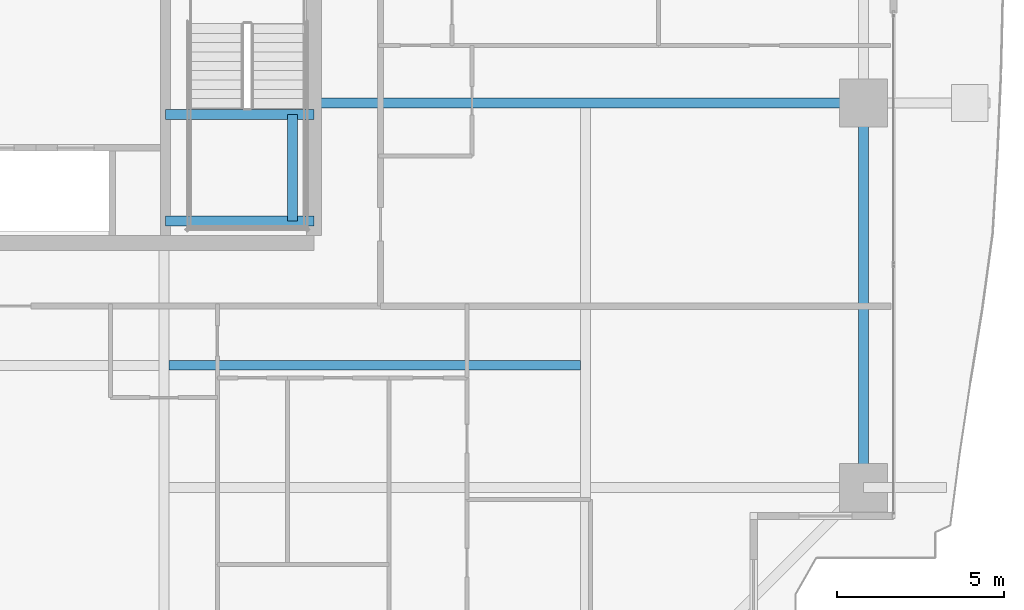
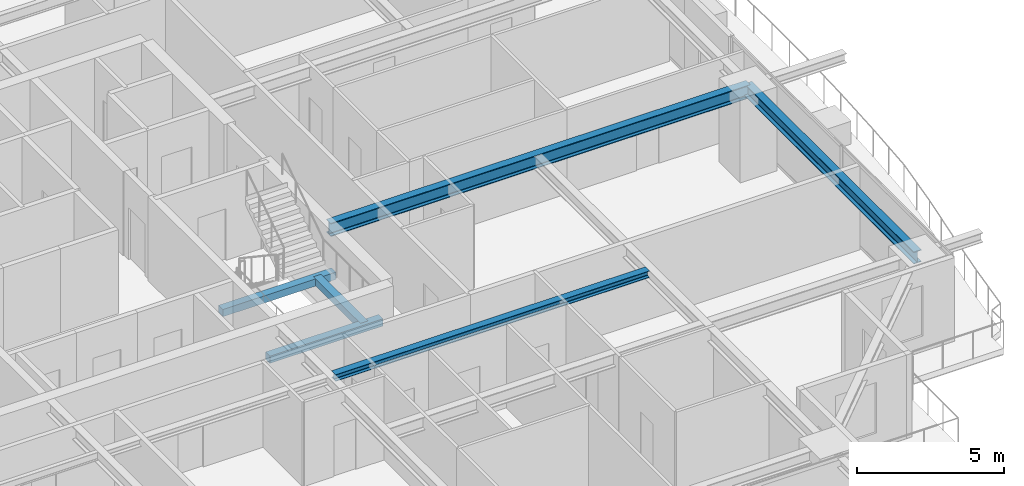
# One storey, part 14 of 39: 6 beams.
"""IFC4 building model written with IfcOpenShell, lengths in metres."""

from ifc_helpers import new_model, si_unit, direction, frame, origin, origin_2d, place, context, subcontext, project, spatial, rectangle, i_section, extrude, source, transform, mapped, material, material_profile, profile_set, type_object, element, save


model = new_model("IFC4")

# Units and contexts
model_context = context("Model", 3, precision=1e-05, world=origin(), true_north=direction((0.0, 1.0)))
body_context = subcontext(model_context, "Body", "Model", "MODEL_VIEW")
ifc_project = project(units=[si_unit("LENGTHUNIT", "METRE"), si_unit("AREAUNIT", "SQUARE_METRE"), si_unit("VOLUMEUNIT", "CUBIC_METRE"), si_unit("PLANEANGLEUNIT", "RADIAN"), si_unit("MASSUNIT", "GRAM", prefix="KILO")], contexts=[model_context])

# Site, building, storey
site_placement = place(None, origin())
site = spatial("IfcSite", under=ifc_project, at=site_placement, CompositionType="ELEMENT")
building_placement = place(site_placement, origin())
building = spatial("IfcBuilding", under=site, at=building_placement, Name="Serunith Strait Residences", CompositionType="ELEMENT")
storey_placement = place(building_placement, frame((0.0, 0.0, 79.199951171875)))
storey = spatial("IfcBuildingStorey", under=building, at=storey_placement, Name="L19", CompositionType="ELEMENT", Elevation=79.199951171875)

# Beams
ifc_material_1 = material(Name="Steel S355J2", Category="steel")
ifc_material_profile_1 = material_profile(ifc_material_1, i_section(OverallWidth=0.300048828125, OverallDepth=0.550048828125, WebThickness=0.014892578125, FlangeThickness=0.029052734375, FilletRadius=0.027099609375, at=origin_2d()), Name="HEB 550")
ifc_profile_set_1 = profile_set([ifc_material_profile_1], Name="Steel S355J2")
beam_type_1 = type_object("IfcBeamType", Name="BM-HEB550", PredefinedType="BEAM", material=ifc_profile_set_1)
shared_shape_1 = source(origin(), body_context, "Body", "SweptSolid", [
    extrude(i_section(OverallWidth=0.300048828125, OverallDepth=0.550048828125, WebThickness=0.014892578125, FlangeThickness=0.029052734375, FilletRadius=0.027099609375, at=origin_2d()), origin(), (0.0, 0.0, 1.0), 16.5),
])
beam_1_placement = place(storey_placement, frame((41.39990234375, 21.0, 3.212158203125), z_axis=(1.0, 0.0, 0.0), x_axis=(0.0, 1.0, 0.0)))
element("IfcBeam", 1, at=beam_1_placement, inside=storey, type_object=beam_type_1, Name="L19 Primary Floor Girder TC-E2", PredefinedType="BEAM", context=body_context, shape_type="MappedRepresentation", body=[
    mapped(shared_shape_1, transform((0.0, 0.0, 0.0), scale=1.0)),
])
ifc_material_profile_2 = material_profile(ifc_material_1, i_section(OverallWidth=0.300048828125, OverallDepth=0.5, WebThickness=0.014404296875, FlangeThickness=0.028076171875, FilletRadius=0.027099609375, at=origin_2d()), Name="HEB 500")
ifc_profile_set_2 = profile_set([ifc_material_profile_2], Name="Steel S355J2")
beam_type_2 = type_object("IfcBeamType", Name="BM-HEB500", PredefinedType="BEAM", material=ifc_profile_set_2)
shared_shape_2 = source(origin(), body_context, "Body", "SweptSolid", [
    extrude(i_section(OverallWidth=0.300048828125, OverallDepth=0.5, WebThickness=0.014404296875, FlangeThickness=0.028076171875, FilletRadius=0.027099609375, at=origin_2d()), origin(), (0.0, 0.0, 1.0), 11.550048828125),
])
beam_2_placement = place(storey_placement, frame((57.89990234375, 9.449951171875, 3.237060546875), z_axis=(0.0, 1.0, 0.0), x_axis=(-1.0, 0.0, 0.0)))
element("IfcBeam", 2, at=beam_2_placement, inside=storey, type_object=beam_type_2, Name="L19 Perimeter Ring Beam 05", PredefinedType="BEAM", context=body_context, shape_type="MappedRepresentation", body=[
    mapped(shared_shape_2, transform((0.0, 0.0, 0.0), scale=1.0)),
])
ifc_material_profile_3 = material_profile(ifc_material_1, i_section(OverallWidth=0.280029296875, OverallDepth=0.280029296875, WebThickness=0.010498046875, FlangeThickness=0.01806640625, FilletRadius=0.02392578125, at=origin_2d()), Name="HEB 280")
ifc_profile_set_3 = profile_set([ifc_material_profile_3], Name="Steel S355J2")
beam_type_3 = type_object("IfcBeamType", Name="BM-HEB280", PredefinedType="JOIST", material=ifc_profile_set_3)
shared_shape_3 = source(origin(), body_context, "Body", "SweptSolid", [
    extrude(i_section(OverallWidth=0.280029296875, OverallDepth=0.280029296875, WebThickness=0.010498046875, FlangeThickness=0.01806640625, FilletRadius=0.02392578125, at=origin_2d()), origin(), (0.0, 0.0, 1.0), 12.349853515625),
])
beam_3_placement = place(storey_placement, frame((37.050048828125, 13.125, 3.34716796875), z_axis=(1.0, 0.0, 0.0), x_axis=(0.0, 1.0, 0.0)))
element("IfcBeam", 3, at=beam_3_placement, inside=storey, type_object=beam_type_3, Name="L19 Composite Floor Joist 03", PredefinedType="JOIST", context=body_context, shape_type="MappedRepresentation", body=[
    mapped(shared_shape_3, transform((0.0, 0.0, 0.0), scale=1.0)),
])
ifc_material_2 = material(Name="Concrete C60/75", Category="concrete")
ifc_material_profile_4 = material_profile(ifc_material_2, rectangle(XDim=0.300048828125, YDim=0.300048828125, at=origin_2d()), Name="RC 300x300")
ifc_profile_set_4 = profile_set([ifc_material_profile_4], Name="Concrete C60/75")
beam_type_4 = type_object("IfcBeamType", Name="BM-LAND-300x300", PredefinedType="BEAM", material=ifc_profile_set_4)
shared_shape_4 = source(origin(), body_context, "Body", "SweptSolid", [
    extrude(rectangle(XDim=0.300048828125, YDim=0.300048828125, at=origin_2d()), origin(), (0.0, 0.0, 1.0), 3.199951171875),
])
beam_4_placement = place(storey_placement, frame((40.75, 17.449951171875, 1.525146484375), z_axis=(0.0, 1.0, 0.0), x_axis=(-1.0, 0.0, 0.0)))
element("IfcBeam", 4, at=beam_4_placement, inside=storey, type_object=beam_type_4, Name="L19 ST-2 Landing Transverse Tie Beam", PredefinedType="BEAM", context=body_context, shape_type="MappedRepresentation", body=[
    mapped(shared_shape_4, transform((0.0, 0.0, 0.0), scale=1.0)),
])
shared_shape_5 = source(origin(), body_context, "Body", "SweptSolid", [
    extrude(rectangle(XDim=0.300048828125, YDim=0.300048828125, at=origin_2d()), origin(), (0.0, 0.0, 1.0), 4.449951171875),
])
for number, where, z_axis, x_axis, name in (
    (5, (36.949951171875, 17.449951171875, 1.525146484375), (1.0, 0.0, 0.0), (0.0, 1.0, 0.0), "L19 ST-2 Landing Support Beam 1"),
    (6, (36.949951171875, 20.64990234375, 1.525146484375), (1.0, 0.0, 0.0), (0.0, 1.0, 0.0), "L19 ST-2 Landing Support Beam 2"),
):
    element("IfcBeam", number, at=place(storey_placement, frame(where, z_axis=z_axis, x_axis=x_axis)), inside=storey, type_object=beam_type_4, Name=name, PredefinedType="BEAM", context=body_context, shape_type="MappedRepresentation", body=[
        mapped(shared_shape_5, transform((0.0, 0.0, 0.0), scale=1.0)),
    ])

save(model, "model.ifc")
